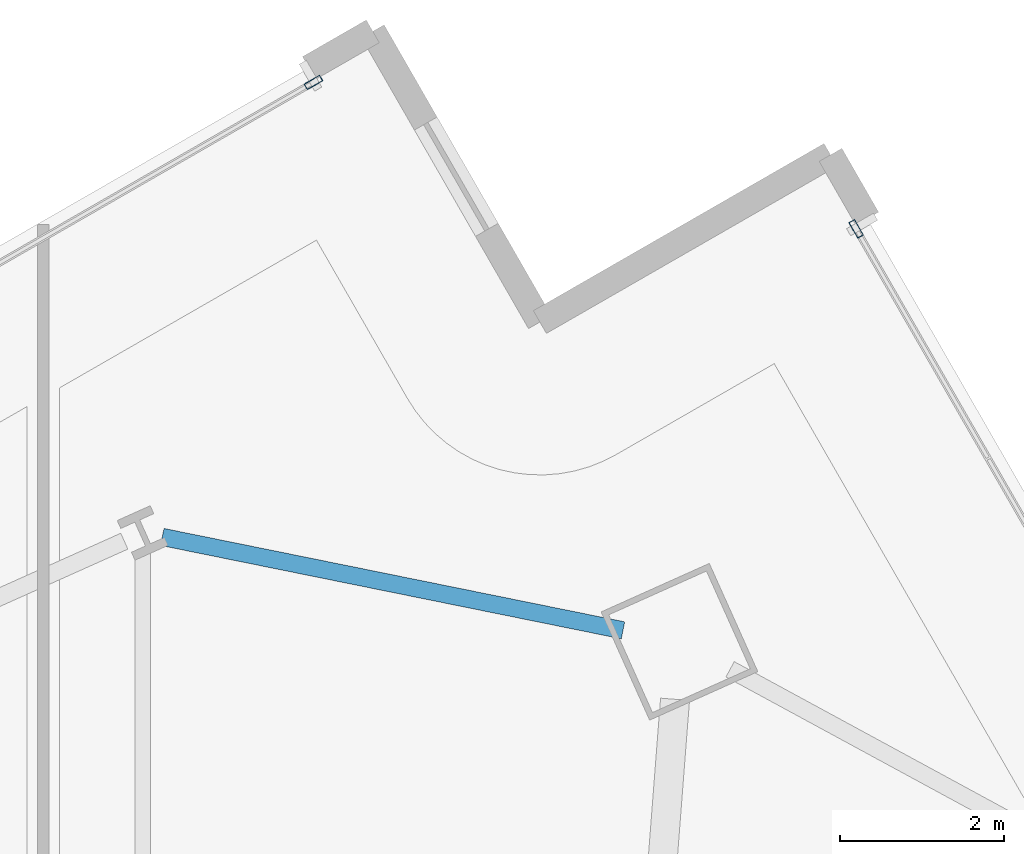
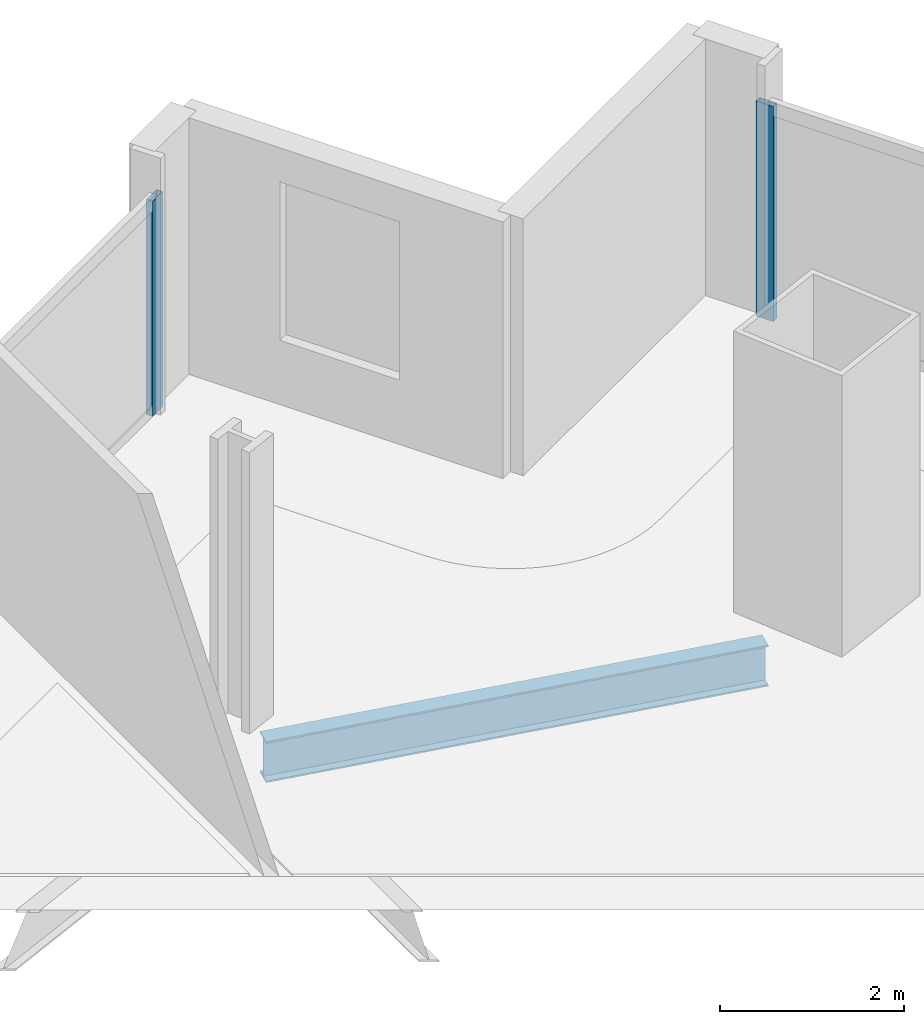
# One storey, part 19 of 33: 2 members, 1 beam, 2 elements without a shape of their own.
"""IFC4 building model written with IfcOpenShell, lengths in metres."""

from ifc_helpers import new_model, si_unit, direction, frame, origin, origin_2d, place, context, subcontext, project, spatial, hollow_rectangle, i_section, extrude, material, material_profile, profile_set, type_object, element, aggregate, save


model = new_model("IFC4")

# Units and contexts
model_context = context("Model", 3, precision=1e-05, world=origin(), true_north=direction((0.0, 1.0)))
body_context = subcontext(model_context, "Body", "Model", "MODEL_VIEW")
ifc_project = project(units=[si_unit("LENGTHUNIT", "METRE"), si_unit("AREAUNIT", "SQUARE_METRE"), si_unit("VOLUMEUNIT", "CUBIC_METRE"), si_unit("PLANEANGLEUNIT", "RADIAN"), si_unit("MASSUNIT", "GRAM", prefix="KILO")], contexts=[model_context])

# Site, building, storey
site_placement = place(None, origin())
site = spatial("IfcSite", under=ifc_project, at=site_placement, CompositionType="ELEMENT")
building_placement = place(site_placement, origin())
building = spatial("IfcBuilding", under=site, at=building_placement, Name="Haldenkirk Collegiate Tower", CompositionType="ELEMENT")
storey_placement = place(building_placement, frame((0.0, 0.0, 127.949951171875)))
storey = spatial("IfcBuildingStorey", under=building, at=storey_placement, Name="L31", CompositionType="ELEMENT", Elevation=127.949951171875)

# Beam
ifc_material_1 = material(Name="Steel ASTM A992 Grade 50", Category="steel")
ifc_material_profile_1 = material_profile(ifc_material_1, i_section(OverallWidth=0.2119140625, OverallDepth=0.5439453125, WebThickness=0.01318359375, FlangeThickness=0.021240234375, at=origin_2d()), Name="W21X83")
ifc_profile_set_1 = profile_set([ifc_material_profile_1], Name="Steel ASTM A992 Grade 50")
beam_type = type_object("IfcBeamType", Name="BM-SPANDREL-W21X83", PredefinedType="SPANDREL", material=ifc_profile_set_1)
beam_placement = place(storey_placement, frame((45.590087890625, 50.750244140625, -0.572021484375), z_axis=(-0.980069318183, 0.198655811786, 0.0), x_axis=(-0.198655811786, -0.980069318183, 0.0)))
element("IfcBeam", 1, at=beam_placement, inside=storey, type_object=beam_type, Name="L31 perimeter spandrel beam 09", PredefinedType="SPANDREL", context=body_context, shape_type="SweptSolid", body=[
    extrude(i_section(OverallWidth=0.2119140625, OverallDepth=0.5439453125, WebThickness=0.01318359375, FlangeThickness=0.021240234375, at=origin_2d()), origin(), (0.0, 0.0, 1.0), 5.747802734375),
])

# Curtain wall, member
ifc_material_2 = material(Name="Anodised architectural bronze aluminium", Category="aluminium")
curtain_wall_type = type_object("IfcCurtainWallType", Name="CW-SYS1-CONVEX-LOW", PredefinedType="USERDEFINED", material=ifc_material_2)
curtain_wall_1_placement = place(storey_placement, origin())
curtain_wall_1 = element("IfcCurtainWall", 2, at=curtain_wall_1_placement, inside=storey, type_object=curtain_wall_type, Name="L31 Lower tower convex bronze-framed unitised curtain wall", ObjectType="UNITISED CURTAIN WALL", PredefinedType="USERDEFINED")
ifc_material_profile_2 = material_profile(ifc_material_2, hollow_rectangle(XDim=0.080078125, YDim=0.219970703125, WallThickness=0.0048828125, at=origin_2d()), Name="CW-MUL-1A")
ifc_profile_set_2 = profile_set([ifc_material_profile_2], Name="Anodised architectural bronze aluminium")
member_type = type_object("IfcMemberType", Name="CW-MUL-1A", PredefinedType="MULLION", material=ifc_profile_set_2)
member_1_placement = place(storey_placement, frame((48.44091796875, 55.659423828125, 0.0), z_axis=(0.0, 0.0, 1.0), x_axis=(0.866895687259, 0.498489586061, 0.0)))
member_1 = element("IfcMember", 3, at=member_1_placement, type_object=member_type, Name="CW-1A mullion 1", PredefinedType="MULLION", context=body_context, shape_type="SweptSolid", body=[
    extrude(hollow_rectangle(XDim=0.080078125, YDim=0.219970703125, WallThickness=0.0048828125, at=origin_2d()), origin(), (0.0, 0.0, 1.0), 2.85107421875),
])
aggregate(curtain_wall_1, [member_1])

curtain_wall_2_placement = place(storey_placement, origin())
curtain_wall_2 = element("IfcCurtainWall", 4, at=curtain_wall_2_placement, inside=storey, type_object=curtain_wall_type, Name="L31 Lower tower convex bronze-framed unitised curtain wall", ObjectType="UNITISED CURTAIN WALL", PredefinedType="USERDEFINED")
member_2_placement = place(storey_placement, frame((41.80517578125, 57.449951171875, 0.0), z_axis=(0.0, 0.0, 1.0), x_axis=(-0.498488961578, 0.866896046355, 0.0)))
member_2 = element("IfcMember", 5, at=member_2_placement, type_object=member_type, Name="CW-1A mullion 5", PredefinedType="MULLION", context=body_context, shape_type="SweptSolid", body=[
    extrude(hollow_rectangle(XDim=0.080078125, YDim=0.219970703125, WallThickness=0.0048828125, at=origin_2d()), origin(), (0.0, 0.0, 1.0), 2.85107421875),
])
aggregate(curtain_wall_2, [member_2])

save(model, "model.ifc")
